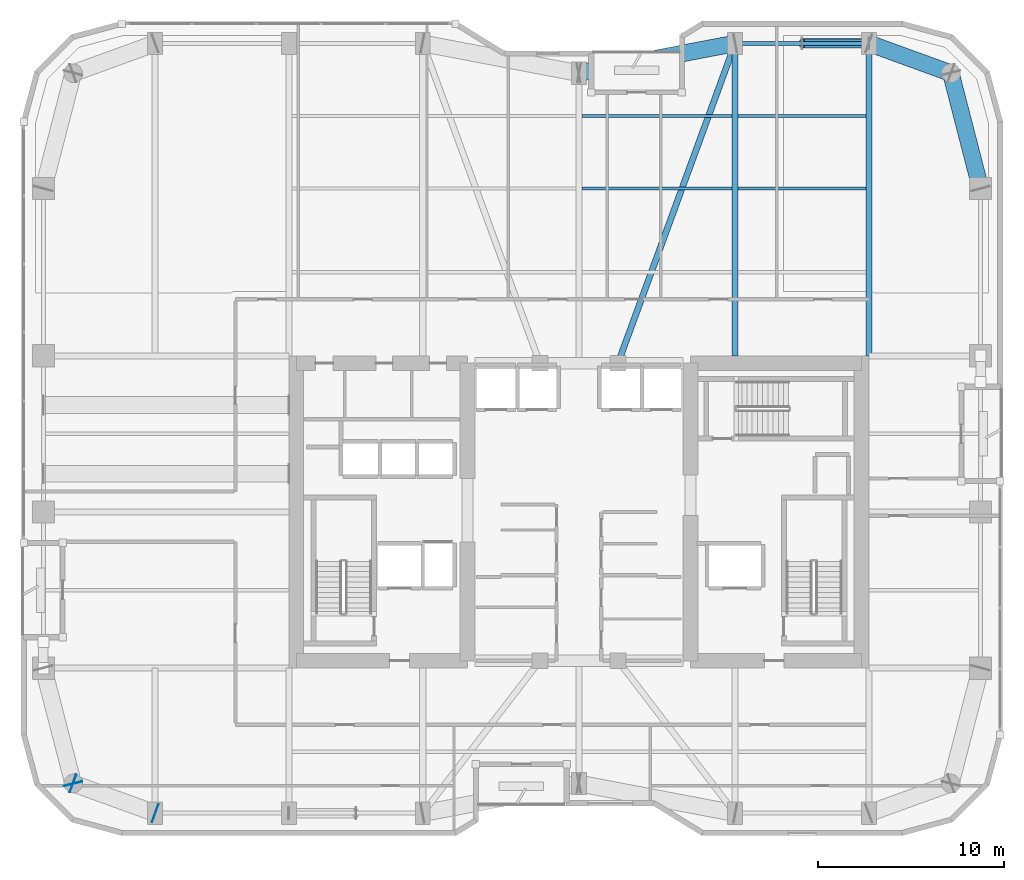
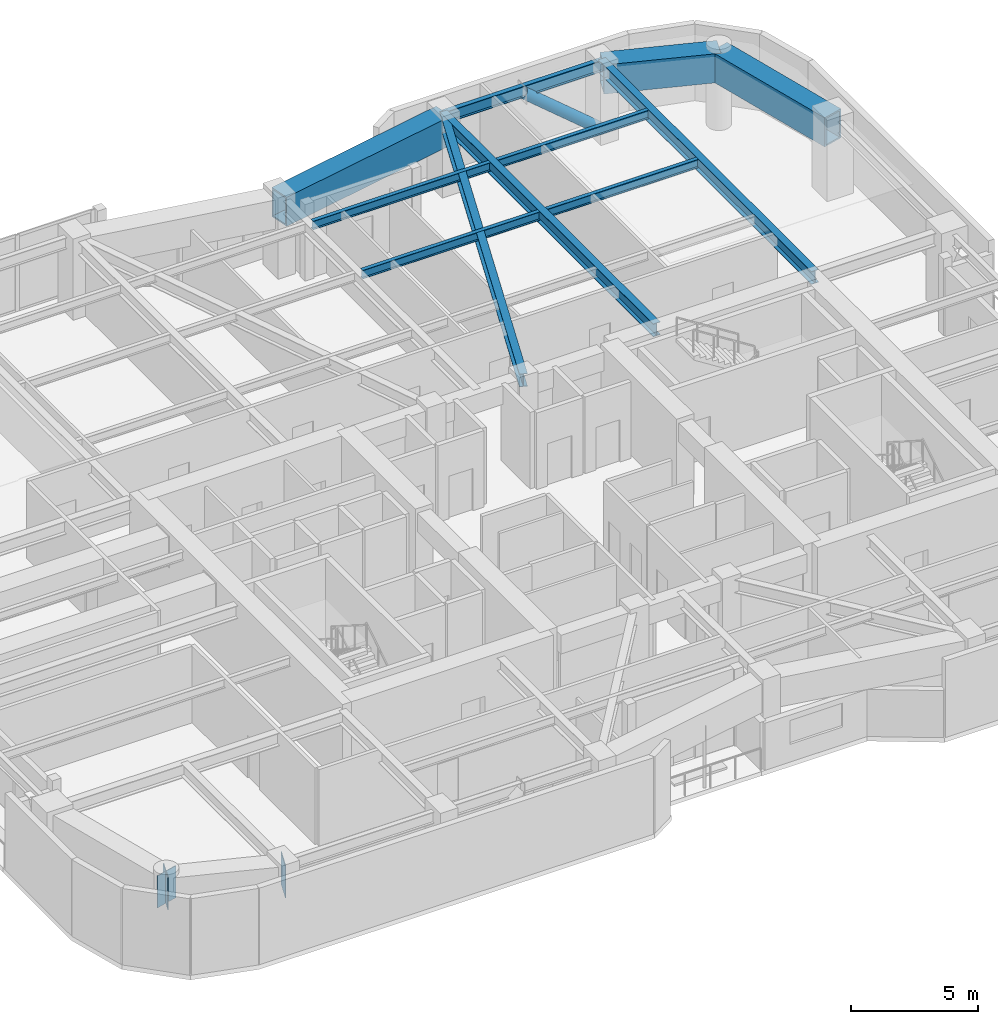
# One storey, part 20 of 30: 11 beams, 3 plates, 1 member.
"""IFC4 building model written with IfcOpenShell, lengths in metres."""

from ifc_helpers import new_model, si_unit, direction, frame, origin, origin_2d, place, context, subcontext, project, spatial, rectangle, hollow_rectangle, hollow_circle, i_section, extrude, material, layer, layer_set, material_profile, profile_set, type_object, element, save


model = new_model("IFC4")

# Units and contexts
model_context = context("Model", 3, precision=1e-05, world=origin(), true_north=direction((0.0, 1.0)))
body_context = subcontext(model_context, "Body", "Model", "MODEL_VIEW")
ifc_project = project(units=[si_unit("LENGTHUNIT", "METRE"), si_unit("AREAUNIT", "SQUARE_METRE"), si_unit("VOLUMEUNIT", "CUBIC_METRE"), si_unit("PLANEANGLEUNIT", "RADIAN"), si_unit("MASSUNIT", "GRAM", prefix="KILO")], contexts=[model_context])

# Site, building, storey
site_placement = place(None, origin())
site = spatial("IfcSite", under=ifc_project, at=site_placement, CompositionType="ELEMENT")
building_placement = place(site_placement, origin())
building = spatial("IfcBuilding", under=site, at=building_placement, Name="Kiyonajd Concourse Tower", CompositionType="ELEMENT")
storey_placement = place(building_placement, frame((0.0, 0.0, 177.89990234375)))
storey = spatial("IfcBuildingStorey", under=building, at=storey_placement, Name="L45", CompositionType="ELEMENT", Elevation=177.89990234375)

# Beams
ifc_material_1 = material(Name="Steel ASTM A992 Grade 50", Category="steel")
ifc_material_profile_1 = material_profile(ifc_material_1, i_section(OverallWidth=0.180908203125, OverallDepth=0.4169921875, WebThickness=0.010986328125, FlangeThickness=0.018310546875, at=origin_2d()), Name="W410X85")
ifc_profile_set_1 = profile_set([ifc_material_profile_1], Name="Steel ASTM A992 Grade 50")
beam_type_1 = type_object("IfcBeamType", Name="BM-JST-410", PredefinedType="JOIST", material=ifc_profile_set_1)
beam_1_placement = place(storey_placement, frame((48.16357421875, 53.39990234375, 3.4716796875), z_axis=(1.0, 0.0, 0.0), x_axis=(0.0, 1.0, 0.0)))
element("IfcBeam", 1, at=beam_1_placement, inside=storey, type_object=beam_type_1, Name="L45 Secondary Floor Joist", PredefinedType="JOIST", context=body_context, shape_type="SweptSolid", body=[
    extrude(i_section(OverallWidth=0.180908203125, OverallDepth=0.4169921875, WebThickness=0.010986328125, FlangeThickness=0.018310546875, at=origin_2d()), origin(), (0.0, 0.0, 1.0), 8.072998046875),
])
beam_2_placement = place(storey_placement, frame((56.5634765625, 53.39990234375, 3.4716796875), z_axis=(1.0, 0.0, 0.0), x_axis=(0.0, 1.0, 0.0)))
element("IfcBeam", 2, at=beam_2_placement, inside=storey, type_object=beam_type_1, Name="L45 Secondary Floor Joist", PredefinedType="JOIST", context=body_context, shape_type="SweptSolid", body=[
    extrude(i_section(OverallWidth=0.180908203125, OverallDepth=0.4169921875, WebThickness=0.010986328125, FlangeThickness=0.018310546875, at=origin_2d()), origin(), (0.0, 0.0, 1.0), 6.873046875),
])
beam_3_placement = place(storey_placement, frame((48.16357421875, 57.300048828125, 3.4716796875), z_axis=(1.0, 0.0, 0.0), x_axis=(0.0, 1.0, 0.0)))
element("IfcBeam", 3, at=beam_3_placement, inside=storey, type_object=beam_type_1, Name="L45 Secondary Floor Joist", PredefinedType="JOIST", context=body_context, shape_type="SweptSolid", body=[
    extrude(i_section(OverallWidth=0.180908203125, OverallDepth=0.4169921875, WebThickness=0.010986328125, FlangeThickness=0.018310546875, at=origin_2d()), origin(), (0.0, 0.0, 1.0), 8.072998046875),
])
beam_4_placement = place(storey_placement, frame((56.5634765625, 57.300048828125, 3.4716796875), z_axis=(1.0, 0.0, 0.0), x_axis=(0.0, 1.0, 0.0)))
element("IfcBeam", 4, at=beam_4_placement, inside=storey, type_object=beam_type_1, Name="L45 Secondary Floor Joist", PredefinedType="JOIST", context=body_context, shape_type="SweptSolid", body=[
    extrude(i_section(OverallWidth=0.180908203125, OverallDepth=0.4169921875, WebThickness=0.010986328125, FlangeThickness=0.018310546875, at=origin_2d()), origin(), (0.0, 0.0, 1.0), 6.873046875),
])
ifc_material_profile_2 = material_profile(ifc_material_1, i_section(OverallWidth=0.214111328125, OverallDepth=0.549072265625, WebThickness=0.0146484375, FlangeThickness=0.023681640625, at=origin_2d()), Name="W530X138")
ifc_profile_set_2 = profile_set([ifc_material_profile_2], Name="Steel ASTM A992 Grade 50")
beam_type_2 = type_object("IfcBeamType", Name="BM-SPAN-530A", PredefinedType="SPANDREL", material=ifc_profile_set_2)
beam_5_placement = place(storey_placement, frame((63.60009765625, 61.199951171875, 3.405517578125), z_axis=(-1.0, 0.0, 0.0), x_axis=(0.0, -1.0, 0.0)))
element("IfcBeam", 5, at=beam_5_placement, inside=storey, type_object=beam_type_2, Name="L45 Perimeter Bundled Tube Spandrel", PredefinedType="SPANDREL", context=body_context, shape_type="SweptSolid", body=[
    extrude(i_section(OverallWidth=0.214111328125, OverallDepth=0.549072265625, WebThickness=0.0146484375, FlangeThickness=0.023681640625, at=origin_2d()), origin(), (0.0, 0.0, 1.0), 7.2001953125),
])
ifc_material_profile_3 = material_profile(ifc_material_1, i_section(OverallWidth=0.326904296875, OverallDepth=0.6220703125, WebThickness=0.015380859375, FlangeThickness=0.0244140625, at=origin_2d()), Name="W610X195")
ifc_profile_set_3 = profile_set([ifc_material_profile_3], Name="Steel ASTM A992 Grade 50")
beam_type_3 = type_object("IfcBeamType", Name="BM-TWR-610A", PredefinedType="BEAM", material=ifc_profile_set_3)
beam_6_placement = place(storey_placement, frame((50.10009765625, 44.0, 3.369140625), z_axis=(0.343925269715, 0.938997022813, 0.0), x_axis=(-0.938997022813, 0.343925269715, 0.0)))
element("IfcBeam", 6, at=beam_6_placement, inside=storey, type_object=beam_type_3, Name="L45 Core Tie Girder", PredefinedType="BEAM", context=body_context, shape_type="SweptSolid", body=[
    extrude(i_section(OverallWidth=0.326904296875, OverallDepth=0.6220703125, WebThickness=0.015380859375, FlangeThickness=0.0244140625, at=origin_2d()), origin(), (0.0, 0.0, 1.0), 18.3173828125),
])
for number, where, z_axis, x_axis, name in (
    (7, (56.39990234375, 44.39990234375, 3.369140625), (0.0, 1.0, 0.0), (-1.0, 0.0, 0.0), "L45 North Lease Girder"),
    (8, (63.60009765625, 44.39990234375, 3.369140625), (0.0, 1.0, 0.0), (-1.0, 0.0, 0.0), "L45 North Lease Girder"),
):
    element("IfcBeam", number, at=place(storey_placement, frame(where, z_axis=z_axis, x_axis=x_axis)), inside=storey, type_object=beam_type_3, Name=name, PredefinedType="BEAM", context=body_context, shape_type="SweptSolid", body=[
        extrude(i_section(OverallWidth=0.326904296875, OverallDepth=0.6220703125, WebThickness=0.015380859375, FlangeThickness=0.0244140625, at=origin_2d()), origin(), (0.0, 0.0, 1.0), 16.800048828125),
    ])
ifc_material_2 = material(Name="Steel ASTM A572 Grade 50", Category="steel")
ifc_material_profile_4 = material_profile(ifc_material_2, hollow_rectangle(XDim=0.89990234375, YDim=1.39990234375, WallThickness=0.070068359375, at=origin_2d()), Name="BOX-1400x900x70")
ifc_profile_set_4 = profile_set([ifc_material_profile_4], Name="Steel ASTM A572 Grade 50")
beam_type_4 = type_object("IfcBeamType", Name="BM-XFER-1400", PredefinedType="BEAM", material=ifc_profile_set_4)
beam_7_placement = place(storey_placement, frame((69.60009765625, 53.39990234375, 2.97998046875), z_axis=(-0.249884937687, 0.968275538221, 0.0), x_axis=(-0.968275538221, -0.249884937687, 0.0)))
element("IfcBeam", 9, at=beam_7_placement, inside=storey, type_object=beam_type_4, Name="L45 Perimeter Bundled Tube Spandrel", PredefinedType="BEAM", context=body_context, shape_type="SweptSolid", body=[
    extrude(hollow_rectangle(XDim=0.89990234375, YDim=1.39990234375, WallThickness=0.070068359375, at=origin_2d()), origin(), (0.0, 0.0, 1.0), 6.4033203125),
])
beam_8_placement = place(storey_placement, frame((68.0, 59.60009765625, 2.97998046875), z_axis=(-0.939801036019, 0.341722127901, 0.0), x_axis=(-0.341722127901, -0.939801036019, 0.0)))
element("IfcBeam", 10, at=beam_8_placement, inside=storey, type_object=beam_type_4, Name="L45 Perimeter Bundled Tube Spandrel", PredefinedType="BEAM", context=body_context, shape_type="SweptSolid", body=[
    extrude(hollow_rectangle(XDim=0.89990234375, YDim=1.39990234375, WallThickness=0.070068359375, at=origin_2d()), origin(), (0.0, 0.0, 1.0), 4.681640625),
])
beam_9_placement = place(storey_placement, frame((56.39990234375, 61.199951171875, 2.97998046875), z_axis=(-0.982341315253, -0.187097675953, 0.0), x_axis=(0.187097675953, -0.982341315253, 0.0)))
element("IfcBeam", 11, at=beam_9_placement, inside=storey, type_object=beam_type_4, Name="L45 Perimeter Bundled Tube Spandrel", PredefinedType="BEAM", context=body_context, shape_type="SweptSolid", body=[
    extrude(hollow_rectangle(XDim=0.89990234375, YDim=1.39990234375, WallThickness=0.070068359375, at=origin_2d()), origin(), (0.0, 0.0, 1.0), 8.55078125),
])

# Member
ifc_material_3 = material(Name="Steel ASTM A500 Grade C", Category="steel")
ifc_material_profile_5 = material_profile(ifc_material_3, hollow_circle(Radius=0.25390625, WallThickness=0.02197265625, at=origin_2d()), Name="CHS-508x22")
ifc_profile_set_5 = profile_set([ifc_material_profile_5], Name="Steel ASTM A500 Grade C")
member_type = type_object("IfcMemberType", Name="MB-PB-MID", PredefinedType="BRACE", material=ifc_profile_set_5)
member_placement = place(storey_placement, frame((63.60009765625, 61.199951171875, 0.300048828125), z_axis=(-0.765082043761, 0.0, 0.643932811957), x_axis=(0.0, -1.0, 0.0)))
element("IfcMember", 12, at=member_placement, inside=storey, type_object=member_type, Name="L45 Upper Zone Hollow Tube Brace PBN", PredefinedType="BRACE", context=body_context, shape_type="SweptSolid", body=[
    extrude(hollow_circle(Radius=0.25390625, WallThickness=0.02197265625, at=origin_2d()), origin(), (0.0, 0.0, 1.0), 4.70556640625),
])

# Plates
ifc_layer = layer(ifc_material_2, 0.031982421875)
ifc_layer_set = layer_set([ifc_layer], Name="Steel ASTM A572 Grade 50")
plate_type = type_object("IfcPlateType", Name="PL-CAP-540", PredefinedType="USERDEFINED", material=ifc_layer_set)
for number, where, z_axis, x_axis, name in (
    (13, (20.802734375, 21.389404296875, 2.2099609375), (0.0, 0.0, 1.0), (0.249873048837, -0.968278606324, 0.0), "L45 Welded Box Girder End Cap"),
    (14, (20.789794921875, 21.40380859375, 2.2099609375), (0.0, 0.0, 1.0), (-0.939811951086, 0.341692107891, 0.0), "L45 Welded Box Girder End Cap"),
    (15, (25.210205078125, 19.796142578125, 2.2099609375), (0.0, 0.0, 1.0), (0.939811951086, -0.341692107891, 0.0), "L45 Welded Box Girder End Cap"),
):
    element("IfcPlate", number, at=place(storey_placement, frame(where, z_axis=z_axis, x_axis=x_axis)), inside=storey, type_object=plate_type, Name=name, ObjectType="CAP PLATE", PredefinedType="USERDEFINED", context=body_context, shape_type="SweptSolid", body=[
        extrude(rectangle(XDim=0.035888671875, YDim=1.02001953125, at=origin_2d()), origin(), (0.0, 0.0, 1.0), 1.5400390625),
    ])

save(model, "model.ifc")
